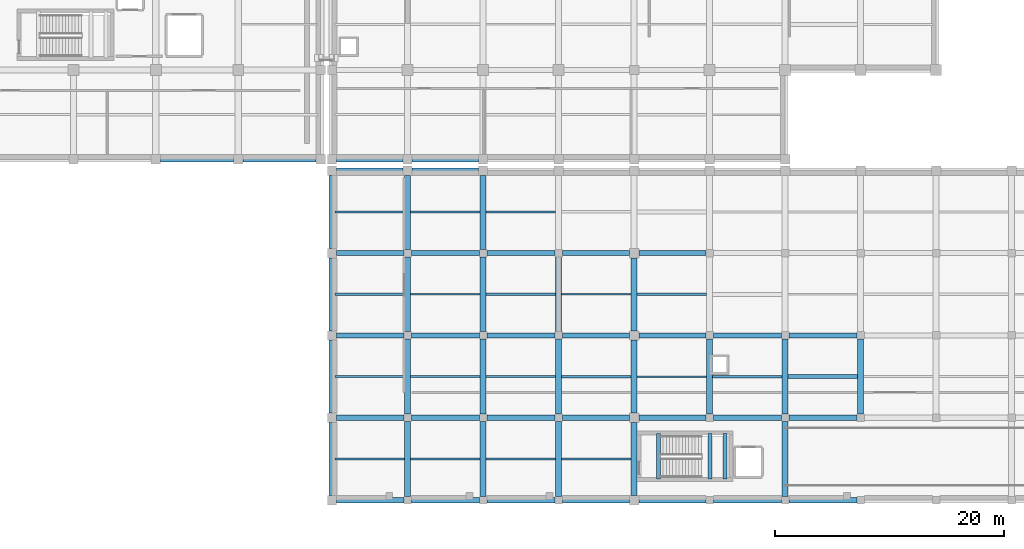
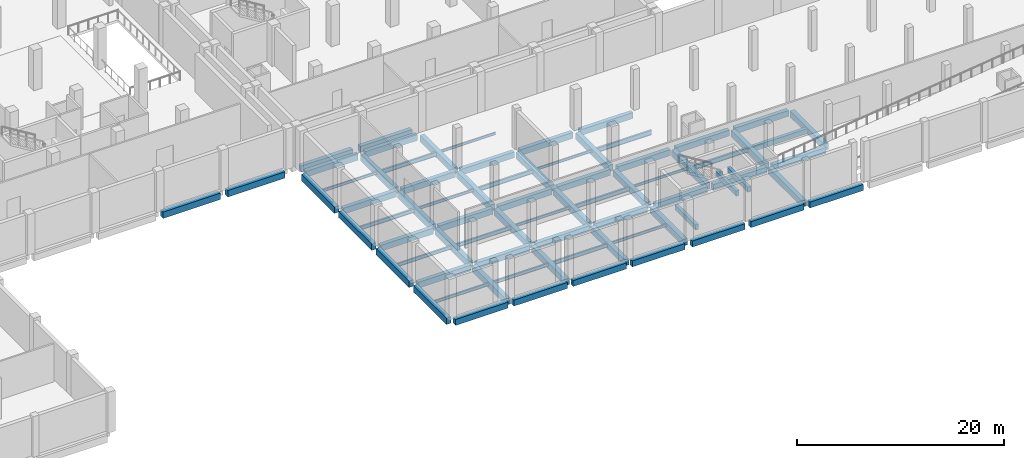
# One storey, part 4 of 31: 76 beams.
"""IFC4 building model written with IfcOpenShell, lengths in metres."""

from ifc_helpers import new_model, si_unit, direction, frame, origin, origin_2d, place, context, subcontext, project, spatial, rectangle, i_section, extrude, material, material_profile, profile_set, type_object, element, save


model = new_model("IFC4")

# Units and contexts
model_context = context("Model", 3, precision=1e-05, world=origin(), true_north=direction((0.0, 1.0)))
body_context = subcontext(model_context, "Body", "Model", "MODEL_VIEW")
ifc_project = project(units=[si_unit("LENGTHUNIT", "METRE"), si_unit("AREAUNIT", "SQUARE_METRE"), si_unit("VOLUMEUNIT", "CUBIC_METRE"), si_unit("PLANEANGLEUNIT", "RADIAN"), si_unit("MASSUNIT", "GRAM", prefix="KILO")], contexts=[model_context])

# Site, building, storey
site_placement = place(None, origin())
site = spatial("IfcSite", under=ifc_project, at=site_placement, CompositionType="ELEMENT")
building_placement = place(site_placement, origin())
building = spatial("IfcBuilding", under=site, at=building_placement, Name="Kelarvand Opera House", CompositionType="ELEMENT")
storey_placement = place(building_placement, frame((0.0, 0.0, -4.800048828125)))
storey = spatial("IfcBuildingStorey", under=building, at=storey_placement, Name="B1", CompositionType="ELEMENT", Elevation=-4.800048828125)

# Beams
ifc_material_1 = material(Name="Concrete C35/45", Category="concrete")
ifc_material_profile_1 = material_profile(ifc_material_1, rectangle(XDim=0.35009765625, YDim=0.60009765625, at=origin_2d()), Name="RC 350x600", Category="concrete")
ifc_profile_set_1 = profile_set([ifc_material_profile_1], Name="Concrete C35/45")
beam_type_1 = type_object("IfcBeamType", Name="Structural Beam RC 350x600 BM-RC350x600", PredefinedType="BEAM", material=ifc_profile_set_1)
beam_1_placement = place(storey_placement, frame((128.85009765625, 19.800048828125, -0.599853515625), z_axis=(1.0, 0.0, 0.0), x_axis=(0.0, 1.0, 0.0)))
element("IfcBeam", 1, at=beam_1_placement, inside=storey, type_object=beam_type_1, Name="V6 B1 Beam BM-RC350x600", PredefinedType="BEAM", context=body_context, shape_type="SweptSolid", body=[
    extrude(rectangle(XDim=0.35009765625, YDim=0.60009765625, at=origin_2d()), origin(), (0.0, 0.0, 1.0), 6.099853515625),
])
for number, where, z_axis, x_axis, name in (
    (2, (117.5400390625, 10.85009765625, -0.52001953125), (0.0, 1.0, 0.0), (-1.0, 0.0, 0.0), "C8 Stair Landing Support Beam B1"),
    (3, (122.050048828125, 10.85009765625, 1.900146484375), (0.0, 1.0, 0.0), (-1.0, 0.0, 0.0), "C8 Stair Half-Landing Beam 1 B1"),
    (4, (123.35009765625, 10.85009765625, 1.900146484375), (0.0, 1.0, 0.0), (-1.0, 0.0, 0.0), "C8 Stair Half-Landing Beam 2 B1"),
):
    element("IfcBeam", number, at=place(storey_placement, frame(where, z_axis=z_axis, x_axis=x_axis)), inside=storey, type_object=beam_type_1, Name=name, PredefinedType="BEAM", context=body_context, shape_type="SweptSolid", body=[
        extrude(rectangle(XDim=0.35009765625, YDim=0.60009765625, at=origin_2d()), origin(), (0.0, 0.0, 1.0), 4.0),
    ])
ifc_material_2 = material(Name="Concrete C40/50", Category="concrete")
ifc_material_profile_2 = material_profile(ifc_material_2, rectangle(XDim=0.449951171875, YDim=0.699951171875, at=origin_2d()), Name="RC 450x700", Category="concrete")
ifc_profile_set_2 = profile_set([ifc_material_profile_2], Name="Concrete C40/50")
beam_type_2 = type_object("IfcBeamType", Name="Structural Beam RC 450x700 BM-RC450x700", PredefinedType="BEAM", material=ifc_profile_set_2)
for number, where, z_axis, x_axis, name in (
    (5, (89.409912109375, 38.800048828125, -0.64990234375), (1.0, 0.0, 0.0), (0.0, 1.0, 0.0), "V1 B1 Beam BM-RC450x700"),
    (6, (96.010009765625, 38.800048828125, -0.64990234375), (1.0, 0.0, 0.0), (0.0, 1.0, 0.0), "V1 B1 Beam BM-RC450x700"),
):
    element("IfcBeam", number, at=place(storey_placement, frame(where, z_axis=z_axis, x_axis=x_axis)), inside=storey, type_object=beam_type_2, Name=name, PredefinedType="BEAM", context=body_context, shape_type="SweptSolid", body=[
        extrude(rectangle(XDim=0.449951171875, YDim=0.699951171875, at=origin_2d()), origin(), (0.0, 0.0, 1.0), 5.780029296875),
    ])
beam_2_placement = place(storey_placement, frame((89.409912109375, 9.0, -0.64990234375), z_axis=(1.0, 0.0, 0.0), x_axis=(0.0, 1.0, 0.0)))
element("IfcBeam", 7, at=beam_2_placement, inside=storey, type_object=beam_type_2, Name="V6 B1 Beam BM-RC450x700", PredefinedType="BEAM", context=body_context, shape_type="SweptSolid", body=[
    extrude(rectangle(XDim=0.449951171875, YDim=0.699951171875, at=origin_2d()), origin(), (0.0, 0.0, 1.0), 5.864990234375),
])
beam_3_placement = place(storey_placement, frame((95.925048828125, 9.0, -0.64990234375), z_axis=(1.0, 0.0, 0.0), x_axis=(0.0, 1.0, 0.0)))
element("IfcBeam", 8, at=beam_3_placement, inside=storey, type_object=beam_type_2, Name="V6 B1 Beam BM-RC450x700", PredefinedType="BEAM", context=body_context, shape_type="SweptSolid", body=[
    extrude(rectangle(XDim=0.449951171875, YDim=0.699951171875, at=origin_2d()), origin(), (0.0, 0.0, 1.0), 5.949951171875),
])
beam_4_placement = place(storey_placement, frame((102.52490234375, 9.0, -0.64990234375), z_axis=(1.0, 0.0, 0.0), x_axis=(0.0, 1.0, 0.0)))
element("IfcBeam", 9, at=beam_4_placement, inside=storey, type_object=beam_type_2, Name="V6 B1 Beam BM-RC450x700", PredefinedType="BEAM", context=body_context, shape_type="SweptSolid", body=[
    extrude(rectangle(XDim=0.449951171875, YDim=0.699951171875, at=origin_2d()), origin(), (0.0, 0.0, 1.0), 5.9501953125),
])
for number, where, z_axis, x_axis, name in (
    (10, (109.125, 9.0, -0.64990234375), (1.0, 0.0, 0.0), (0.0, 1.0, 0.0), "V6 B1 Beam BM-RC450x700"),
    (11, (115.81005859375, 9.0, -0.64990234375), (1.0, 0.0, 0.0), (0.0, 1.0, 0.0), "V6 B1 Beam BM-RC450x700"),
):
    element("IfcBeam", number, at=place(storey_placement, frame(where, z_axis=z_axis, x_axis=x_axis)), inside=storey, type_object=beam_type_2, Name=name, PredefinedType="BEAM", context=body_context, shape_type="SweptSolid", body=[
        extrude(rectangle(XDim=0.449951171875, YDim=0.699951171875, at=origin_2d()), origin(), (0.0, 0.0, 1.0), 5.864990234375),
    ])
for number, where, z_axis, x_axis, name in (
    (12, (122.324951171875, 9.0, -0.64990234375), (1.0, 0.0, 0.0), (0.0, 1.0, 0.0), "V6 B1 Beam BM-RC450x700"),
    (13, (128.925048828125, 9.0, -0.64990234375), (1.0, 0.0, 0.0), (0.0, 1.0, 0.0), "V6 B1 Beam BM-RC450x700"),
):
    element("IfcBeam", number, at=place(storey_placement, frame(where, z_axis=z_axis, x_axis=x_axis)), inside=storey, type_object=beam_type_2, Name=name, PredefinedType="BEAM", context=body_context, shape_type="SweptSolid", body=[
        extrude(rectangle(XDim=0.449951171875, YDim=0.699951171875, at=origin_2d()), origin(), (0.0, 0.0, 1.0), 5.949951171875),
    ])
beam_5_placement = place(storey_placement, frame((89.409912109375, 16.199951171875, -0.64990234375), z_axis=(1.0, 0.0, 0.0), x_axis=(0.0, 1.0, 0.0)))
element("IfcBeam", 14, at=beam_5_placement, inside=storey, type_object=beam_type_2, Name="V6 B1 Beam BM-RC450x700", PredefinedType="BEAM", context=body_context, shape_type="SweptSolid", body=[
    extrude(rectangle(XDim=0.449951171875, YDim=0.699951171875, at=origin_2d()), origin(), (0.0, 0.0, 1.0), 5.864990234375),
])
beam_6_placement = place(storey_placement, frame((95.925048828125, 16.199951171875, -0.64990234375), z_axis=(1.0, 0.0, 0.0), x_axis=(0.0, 1.0, 0.0)))
element("IfcBeam", 15, at=beam_6_placement, inside=storey, type_object=beam_type_2, Name="V6 B1 Beam BM-RC450x700", PredefinedType="BEAM", context=body_context, shape_type="SweptSolid", body=[
    extrude(rectangle(XDim=0.449951171875, YDim=0.699951171875, at=origin_2d()), origin(), (0.0, 0.0, 1.0), 5.949951171875),
])
beam_7_placement = place(storey_placement, frame((102.52490234375, 16.199951171875, -0.64990234375), z_axis=(1.0, 0.0, 0.0), x_axis=(0.0, 1.0, 0.0)))
element("IfcBeam", 16, at=beam_7_placement, inside=storey, type_object=beam_type_2, Name="V6 B1 Beam BM-RC450x700", PredefinedType="BEAM", context=body_context, shape_type="SweptSolid", body=[
    extrude(rectangle(XDim=0.449951171875, YDim=0.699951171875, at=origin_2d()), origin(), (0.0, 0.0, 1.0), 5.9501953125),
])
for number, where, z_axis, x_axis, name in (
    (17, (109.125, 16.199951171875, -0.64990234375), (1.0, 0.0, 0.0), (0.0, 1.0, 0.0), "V6 B1 Beam BM-RC450x700"),
    (18, (115.81005859375, 16.199951171875, -0.64990234375), (1.0, 0.0, 0.0), (0.0, 1.0, 0.0), "V6 B1 Beam BM-RC450x700"),
):
    element("IfcBeam", number, at=place(storey_placement, frame(where, z_axis=z_axis, x_axis=x_axis)), inside=storey, type_object=beam_type_2, Name=name, PredefinedType="BEAM", context=body_context, shape_type="SweptSolid", body=[
        extrude(rectangle(XDim=0.449951171875, YDim=0.699951171875, at=origin_2d()), origin(), (0.0, 0.0, 1.0), 5.864990234375),
    ])
for number, where, z_axis, x_axis, name in (
    (19, (122.324951171875, 16.199951171875, -0.64990234375), (1.0, 0.0, 0.0), (0.0, 1.0, 0.0), "V6 B1 Beam BM-RC450x700"),
    (20, (128.925048828125, 16.199951171875, -0.64990234375), (1.0, 0.0, 0.0), (0.0, 1.0, 0.0), "V6 B1 Beam BM-RC450x700"),
):
    element("IfcBeam", number, at=place(storey_placement, frame(where, z_axis=z_axis, x_axis=x_axis)), inside=storey, type_object=beam_type_2, Name=name, PredefinedType="BEAM", context=body_context, shape_type="SweptSolid", body=[
        extrude(rectangle(XDim=0.449951171875, YDim=0.699951171875, at=origin_2d()), origin(), (0.0, 0.0, 1.0), 5.949951171875),
    ])
beam_8_placement = place(storey_placement, frame((89.409912109375, 23.39990234375, -0.64990234375), z_axis=(1.0, 0.0, 0.0), x_axis=(0.0, 1.0, 0.0)))
element("IfcBeam", 21, at=beam_8_placement, inside=storey, type_object=beam_type_2, Name="V6 B1 Beam BM-RC450x700", PredefinedType="BEAM", context=body_context, shape_type="SweptSolid", body=[
    extrude(rectangle(XDim=0.449951171875, YDim=0.699951171875, at=origin_2d()), origin(), (0.0, 0.0, 1.0), 5.864990234375),
])
beam_9_placement = place(storey_placement, frame((95.925048828125, 23.39990234375, -0.64990234375), z_axis=(1.0, 0.0, 0.0), x_axis=(0.0, 1.0, 0.0)))
element("IfcBeam", 22, at=beam_9_placement, inside=storey, type_object=beam_type_2, Name="V6 B1 Beam BM-RC450x700", PredefinedType="BEAM", context=body_context, shape_type="SweptSolid", body=[
    extrude(rectangle(XDim=0.449951171875, YDim=0.699951171875, at=origin_2d()), origin(), (0.0, 0.0, 1.0), 5.949951171875),
])
beam_10_placement = place(storey_placement, frame((102.52490234375, 23.39990234375, -0.64990234375), z_axis=(1.0, 0.0, 0.0), x_axis=(0.0, 1.0, 0.0)))
element("IfcBeam", 23, at=beam_10_placement, inside=storey, type_object=beam_type_2, Name="V6 B1 Beam BM-RC450x700", PredefinedType="BEAM", context=body_context, shape_type="SweptSolid", body=[
    extrude(rectangle(XDim=0.449951171875, YDim=0.699951171875, at=origin_2d()), origin(), (0.0, 0.0, 1.0), 5.9501953125),
])
for number, where, z_axis, x_axis, name in (
    (24, (109.125, 23.39990234375, -0.64990234375), (1.0, 0.0, 0.0), (0.0, 1.0, 0.0), "V6 B1 Beam BM-RC450x700"),
    (25, (115.81005859375, 23.39990234375, -0.64990234375), (1.0, 0.0, 0.0), (0.0, 1.0, 0.0), "V6 B1 Beam BM-RC450x700"),
):
    element("IfcBeam", number, at=place(storey_placement, frame(where, z_axis=z_axis, x_axis=x_axis)), inside=storey, type_object=beam_type_2, Name=name, PredefinedType="BEAM", context=body_context, shape_type="SweptSolid", body=[
        extrude(rectangle(XDim=0.449951171875, YDim=0.699951171875, at=origin_2d()), origin(), (0.0, 0.0, 1.0), 5.864990234375),
    ])
for number, where, z_axis, x_axis, name in (
    (26, (122.324951171875, 23.39990234375, -0.64990234375), (1.0, 0.0, 0.0), (0.0, 1.0, 0.0), "V6 B1 Beam BM-RC450x700"),
    (27, (128.925048828125, 23.39990234375, -0.64990234375), (1.0, 0.0, 0.0), (0.0, 1.0, 0.0), "V6 B1 Beam BM-RC450x700"),
):
    element("IfcBeam", number, at=place(storey_placement, frame(where, z_axis=z_axis, x_axis=x_axis)), inside=storey, type_object=beam_type_2, Name=name, PredefinedType="BEAM", context=body_context, shape_type="SweptSolid", body=[
        extrude(rectangle(XDim=0.449951171875, YDim=0.699951171875, at=origin_2d()), origin(), (0.0, 0.0, 1.0), 5.949951171875),
    ])
beam_11_placement = place(storey_placement, frame((89.409912109375, 30.60009765625, -0.64990234375), z_axis=(1.0, 0.0, 0.0), x_axis=(0.0, 1.0, 0.0)))
element("IfcBeam", 28, at=beam_11_placement, inside=storey, type_object=beam_type_2, Name="V6 B1 Beam BM-RC450x700", PredefinedType="BEAM", context=body_context, shape_type="SweptSolid", body=[
    extrude(rectangle(XDim=0.449951171875, YDim=0.699951171875, at=origin_2d()), origin(), (0.0, 0.0, 1.0), 5.864990234375),
])
beam_12_placement = place(storey_placement, frame((95.925048828125, 30.60009765625, -0.64990234375), z_axis=(1.0, 0.0, 0.0), x_axis=(0.0, 1.0, 0.0)))
element("IfcBeam", 29, at=beam_12_placement, inside=storey, type_object=beam_type_2, Name="V6 B1 Beam BM-RC450x700", PredefinedType="BEAM", context=body_context, shape_type="SweptSolid", body=[
    extrude(rectangle(XDim=0.449951171875, YDim=0.699951171875, at=origin_2d()), origin(), (0.0, 0.0, 1.0), 5.949951171875),
])
beam_13_placement = place(storey_placement, frame((102.52490234375, 30.60009765625, -0.64990234375), z_axis=(1.0, 0.0, 0.0), x_axis=(0.0, 1.0, 0.0)))
element("IfcBeam", 30, at=beam_13_placement, inside=storey, type_object=beam_type_2, Name="V6 B1 Beam BM-RC450x700", PredefinedType="BEAM", context=body_context, shape_type="SweptSolid", body=[
    extrude(rectangle(XDim=0.449951171875, YDim=0.699951171875, at=origin_2d()), origin(), (0.0, 0.0, 1.0), 5.9501953125),
])
for number, where, z_axis, x_axis, name in (
    (31, (109.125, 30.60009765625, -0.64990234375), (1.0, 0.0, 0.0), (0.0, 1.0, 0.0), "V6 B1 Beam BM-RC450x700"),
    (32, (115.81005859375, 30.60009765625, -0.64990234375), (1.0, 0.0, 0.0), (0.0, 1.0, 0.0), "V6 B1 Beam BM-RC450x700"),
):
    element("IfcBeam", number, at=place(storey_placement, frame(where, z_axis=z_axis, x_axis=x_axis)), inside=storey, type_object=beam_type_2, Name=name, PredefinedType="BEAM", context=body_context, shape_type="SweptSolid", body=[
        extrude(rectangle(XDim=0.449951171875, YDim=0.699951171875, at=origin_2d()), origin(), (0.0, 0.0, 1.0), 5.864990234375),
    ])
for number, where, z_axis, x_axis, name in (
    (33, (89.409912109375, 37.800048828125, -0.64990234375), (1.0, 0.0, 0.0), (0.0, 1.0, 0.0), "V6 B1 Beam BM-RC450x700"),
    (34, (96.010009765625, 37.800048828125, -0.64990234375), (1.0, 0.0, 0.0), (0.0, 1.0, 0.0), "V6 B1 Beam BM-RC450x700"),
):
    element("IfcBeam", number, at=place(storey_placement, frame(where, z_axis=z_axis, x_axis=x_axis)), inside=storey, type_object=beam_type_2, Name=name, PredefinedType="BEAM", context=body_context, shape_type="SweptSolid", body=[
        extrude(rectangle(XDim=0.449951171875, YDim=0.699951171875, at=origin_2d()), origin(), (0.0, 0.0, 1.0), 5.780029296875),
    ])
ifc_material_profile_3 = material_profile(ifc_material_2, rectangle(XDim=0.5, YDim=0.75, at=origin_2d()), Name="RC 500x750", Category="concrete")
ifc_profile_set_3 = profile_set([ifc_material_profile_3], Name="Concrete C40/50")
beam_type_3 = type_object("IfcBeamType", Name="Structural Beam RC 500x750 BM-RC500x750", PredefinedType="BEAM", material=ifc_profile_set_3)
beam_14_placement = place(storey_placement, frame((74.010009765625, 38.800048828125, -0.675048828125), z_axis=(1.0, 0.0, 0.0), x_axis=(0.0, 1.0, 0.0)))
element("IfcBeam", 35, at=beam_14_placement, inside=storey, type_object=beam_type_3, Name="V2 B1 Beam BM-RC500x750", PredefinedType="BEAM", context=body_context, shape_type="SweptSolid", body=[
    extrude(rectangle(XDim=0.5, YDim=0.75, at=origin_2d()), origin(), (0.0, 0.0, 1.0), 6.3798828125),
])
for number, where, z_axis, x_axis, name in (
    (36, (81.2099609375, 38.800048828125, -0.675048828125), (1.0, 0.0, 0.0), (0.0, 1.0, 0.0), "V2 B1 Beam BM-RC500x750"),
    (37, (89.0, 9.409912109375, -0.675048828125), (0.0, 1.0, 0.0), (-1.0, 0.0, 0.0), "V6 B1 Beam BM-RC500x750"),
):
    element("IfcBeam", number, at=place(storey_placement, frame(where, z_axis=z_axis, x_axis=x_axis)), inside=storey, type_object=beam_type_3, Name=name, PredefinedType="BEAM", context=body_context, shape_type="SweptSolid", body=[
        extrude(rectangle(XDim=0.5, YDim=0.75, at=origin_2d()), origin(), (0.0, 0.0, 1.0), 6.380126953125),
    ])
for number, where, z_axis, x_axis, name in (
    (38, (89.0, 16.610107421875, -0.675048828125), (0.0, 1.0, 0.0), (-1.0, 0.0, 0.0), "V6 B1 Beam BM-RC500x750"),
    (39, (89.0, 23.81005859375, -0.675048828125), (0.0, 1.0, 0.0), (-1.0, 0.0, 0.0), "V6 B1 Beam BM-RC500x750"),
    (40, (89.0, 31.010009765625, -0.675048828125), (0.0, 1.0, 0.0), (-1.0, 0.0, 0.0), "V6 B1 Beam BM-RC500x750"),
):
    element("IfcBeam", number, at=place(storey_placement, frame(where, z_axis=z_axis, x_axis=x_axis)), inside=storey, type_object=beam_type_3, Name=name, PredefinedType="BEAM", context=body_context, shape_type="SweptSolid", body=[
        extrude(rectangle(XDim=0.5, YDim=0.75, at=origin_2d()), origin(), (0.0, 0.0, 1.0), 6.3798828125),
    ])
for number, where, z_axis, x_axis, name in (
    (41, (95.60009765625, 9.324951171875, -0.675048828125), (0.0, 1.0, 0.0), (-1.0, 0.0, 0.0), "V6 B1 Beam BM-RC500x750"),
    (42, (95.60009765625, 16.52490234375, -0.675048828125), (0.0, 1.0, 0.0), (-1.0, 0.0, 0.0), "V6 B1 Beam BM-RC500x750"),
):
    element("IfcBeam", number, at=place(storey_placement, frame(where, z_axis=z_axis, x_axis=x_axis)), inside=storey, type_object=beam_type_3, Name=name, PredefinedType="BEAM", context=body_context, shape_type="SweptSolid", body=[
        extrude(rectangle(XDim=0.5, YDim=0.75, at=origin_2d()), origin(), (0.0, 0.0, 1.0), 6.550048828125),
    ])
beam_15_placement = place(storey_placement, frame((95.60009765625, 23.72509765625, -0.675048828125), z_axis=(0.0, 1.0, 0.0), x_axis=(-1.0, 0.0, 0.0)))
element("IfcBeam", 43, at=beam_15_placement, inside=storey, type_object=beam_type_3, Name="V6 B1 Beam BM-RC500x750", PredefinedType="BEAM", context=body_context, shape_type="SweptSolid", body=[
    extrude(rectangle(XDim=0.5, YDim=0.75, at=origin_2d()), origin(), (0.0, 0.0, 1.0), 6.5498046875),
])
beam_16_placement = place(storey_placement, frame((95.60009765625, 30.925048828125, -0.675048828125), z_axis=(0.0, 1.0, 0.0), x_axis=(-1.0, 0.0, 0.0)))
element("IfcBeam", 44, at=beam_16_placement, inside=storey, type_object=beam_type_3, Name="V6 B1 Beam BM-RC500x750", PredefinedType="BEAM", context=body_context, shape_type="SweptSolid", body=[
    extrude(rectangle(XDim=0.5, YDim=0.75, at=origin_2d()), origin(), (0.0, 0.0, 1.0), 6.46484375),
])
for number, where, z_axis, x_axis, name in (
    (45, (102.199951171875, 9.324951171875, -0.675048828125), (0.0, 1.0, 0.0), (-1.0, 0.0, 0.0), "V6 B1 Beam BM-RC500x750"),
    (46, (102.199951171875, 16.52490234375, -0.675048828125), (0.0, 1.0, 0.0), (-1.0, 0.0, 0.0), "V6 B1 Beam BM-RC500x750"),
):
    element("IfcBeam", number, at=place(storey_placement, frame(where, z_axis=z_axis, x_axis=x_axis)), inside=storey, type_object=beam_type_3, Name=name, PredefinedType="BEAM", context=body_context, shape_type="SweptSolid", body=[
        extrude(rectangle(XDim=0.5, YDim=0.75, at=origin_2d()), origin(), (0.0, 0.0, 1.0), 6.550048828125),
    ])
beam_17_placement = place(storey_placement, frame((102.199951171875, 23.72509765625, -0.675048828125), z_axis=(0.0, 1.0, 0.0), x_axis=(-1.0, 0.0, 0.0)))
element("IfcBeam", 47, at=beam_17_placement, inside=storey, type_object=beam_type_3, Name="V6 B1 Beam BM-RC500x750", PredefinedType="BEAM", context=body_context, shape_type="SweptSolid", body=[
    extrude(rectangle(XDim=0.5, YDim=0.75, at=origin_2d()), origin(), (0.0, 0.0, 1.0), 6.5498046875),
])
beam_18_placement = place(storey_placement, frame((102.199951171875, 30.925048828125, -0.675048828125), z_axis=(0.0, 1.0, 0.0), x_axis=(-1.0, 0.0, 0.0)))
element("IfcBeam", 48, at=beam_18_placement, inside=storey, type_object=beam_type_3, Name="V6 B1 Beam BM-RC500x750", PredefinedType="BEAM", context=body_context, shape_type="SweptSolid", body=[
    extrude(rectangle(XDim=0.5, YDim=0.75, at=origin_2d()), origin(), (0.0, 0.0, 1.0), 6.46484375),
])
for number, where, z_axis, x_axis, name in (
    (49, (108.800048828125, 9.324951171875, -0.675048828125), (0.0, 1.0, 0.0), (-1.0, 0.0, 0.0), "V6 B1 Beam BM-RC500x750"),
    (50, (108.800048828125, 16.52490234375, -0.675048828125), (0.0, 1.0, 0.0), (-1.0, 0.0, 0.0), "V6 B1 Beam BM-RC500x750"),
):
    element("IfcBeam", number, at=place(storey_placement, frame(where, z_axis=z_axis, x_axis=x_axis)), inside=storey, type_object=beam_type_3, Name=name, PredefinedType="BEAM", context=body_context, shape_type="SweptSolid", body=[
        extrude(rectangle(XDim=0.5, YDim=0.75, at=origin_2d()), origin(), (0.0, 0.0, 1.0), 6.550048828125),
    ])
beam_19_placement = place(storey_placement, frame((108.800048828125, 23.72509765625, -0.675048828125), z_axis=(0.0, 1.0, 0.0), x_axis=(-1.0, 0.0, 0.0)))
element("IfcBeam", 51, at=beam_19_placement, inside=storey, type_object=beam_type_3, Name="V6 B1 Beam BM-RC500x750", PredefinedType="BEAM", context=body_context, shape_type="SweptSolid", body=[
    extrude(rectangle(XDim=0.5, YDim=0.75, at=origin_2d()), origin(), (0.0, 0.0, 1.0), 6.5498046875),
])
beam_20_placement = place(storey_placement, frame((115.39990234375, 9.409912109375, -0.675048828125), z_axis=(0.0, 1.0, 0.0), x_axis=(-1.0, 0.0, 0.0)))
element("IfcBeam", 52, at=beam_20_placement, inside=storey, type_object=beam_type_3, Name="V6 B1 Beam BM-RC500x750", PredefinedType="BEAM", context=body_context, shape_type="SweptSolid", body=[
    extrude(rectangle(XDim=0.5, YDim=0.75, at=origin_2d()), origin(), (0.0, 0.0, 1.0), 6.380126953125),
])
for number, where, z_axis, x_axis, name in (
    (53, (115.39990234375, 16.610107421875, -0.675048828125), (0.0, 1.0, 0.0), (-1.0, 0.0, 0.0), "V6 B1 Beam BM-RC500x750"),
    (54, (115.39990234375, 23.81005859375, -0.675048828125), (0.0, 1.0, 0.0), (-1.0, 0.0, 0.0), "V6 B1 Beam BM-RC500x750"),
):
    element("IfcBeam", number, at=place(storey_placement, frame(where, z_axis=z_axis, x_axis=x_axis)), inside=storey, type_object=beam_type_3, Name=name, PredefinedType="BEAM", context=body_context, shape_type="SweptSolid", body=[
        extrude(rectangle(XDim=0.5, YDim=0.75, at=origin_2d()), origin(), (0.0, 0.0, 1.0), 6.3798828125),
    ])
for number, where, z_axis, x_axis, name in (
    (55, (122.0, 16.52490234375, -0.675048828125), (0.0, 1.0, 0.0), (-1.0, 0.0, 0.0), "V6 B1 Beam BM-RC500x750"),
    (56, (128.60009765625, 9.324951171875, -0.675048828125), (0.0, 1.0, 0.0), (-1.0, 0.0, 0.0), "V6 B1 Beam BM-RC500x750"),
    (57, (128.60009765625, 16.52490234375, -0.675048828125), (0.0, 1.0, 0.0), (-1.0, 0.0, 0.0), "V6 B1 Beam BM-RC500x750"),
    (58, (135.199951171875, 16.52490234375, -0.675048828125), (0.0, 1.0, 0.0), (-1.0, 0.0, 0.0), "V6 B1 Beam BM-RC500x750"),
):
    element("IfcBeam", number, at=place(storey_placement, frame(where, z_axis=z_axis, x_axis=x_axis)), inside=storey, type_object=beam_type_3, Name=name, PredefinedType="BEAM", context=body_context, shape_type="SweptSolid", body=[
        extrude(rectangle(XDim=0.5, YDim=0.75, at=origin_2d()), origin(), (0.0, 0.0, 1.0), 6.550048828125),
    ])
ifc_material_3 = material(Name="Steel S355", Category="steel")
ifc_material_profile_4 = material_profile(ifc_material_3, i_section(OverallWidth=0.14990234375, OverallDepth=0.300048828125, WebThickness=0.007080078125, FlangeThickness=0.0107421875, at=origin_2d()), Name="IPE 300", Category="steel")
ifc_profile_set_4 = profile_set([ifc_material_profile_4], Name="Steel S355")
beam_type_4 = type_object("IfcBeamType", Name="Structural Joist IPE 300 JS-IPE300", PredefinedType="JOIST", material=ifc_profile_set_4)
beam_21_placement = place(storey_placement, frame((102.449951171875, 34.199951171875, -0.449951171875), z_axis=(1.0, 0.0, 0.0), x_axis=(0.0, 1.0, 0.0)))
element("IfcBeam", 59, at=beam_21_placement, inside=storey, type_object=beam_type_4, Name="V6 B1 Beam JS-IPE300", PredefinedType="JOIST", context=body_context, shape_type="SweptSolid", body=[
    extrude(i_section(OverallWidth=0.14990234375, OverallDepth=0.300048828125, WebThickness=0.007080078125, FlangeThickness=0.0107421875, at=origin_2d()), origin(), (0.0, 0.0, 1.0), 6.10009765625),
])
beam_22_placement = place(storey_placement, frame((109.050048828125, 27.0, -0.449951171875), z_axis=(1.0, 0.0, 0.0), x_axis=(0.0, 1.0, 0.0)))
element("IfcBeam", 60, at=beam_22_placement, inside=storey, type_object=beam_type_4, Name="V6 B1 Beam JS-IPE300", PredefinedType="JOIST", context=body_context, shape_type="SweptSolid", body=[
    extrude(i_section(OverallWidth=0.14990234375, OverallDepth=0.300048828125, WebThickness=0.007080078125, FlangeThickness=0.0107421875, at=origin_2d()), origin(), (0.0, 0.0, 1.0), 6.099853515625),
])
beam_23_placement = place(storey_placement, frame((115.64990234375, 19.800048828125, -0.449951171875), z_axis=(1.0, 0.0, 0.0), x_axis=(0.0, 1.0, 0.0)))
element("IfcBeam", 61, at=beam_23_placement, inside=storey, type_object=beam_type_4, Name="V6 B1 Beam JS-IPE300", PredefinedType="JOIST", context=body_context, shape_type="SweptSolid", body=[
    extrude(i_section(OverallWidth=0.14990234375, OverallDepth=0.300048828125, WebThickness=0.007080078125, FlangeThickness=0.0107421875, at=origin_2d()), origin(), (0.0, 0.0, 1.0), 6.10009765625),
])
ifc_material_profile_5 = material_profile(ifc_material_3, i_section(OverallWidth=0.159912109375, OverallDepth=0.330078125, WebThickness=0.007568359375, FlangeThickness=0.011474609375, at=origin_2d()), Name="IPE 330", Category="steel")
ifc_profile_set_5 = profile_set([ifc_material_profile_5], Name="Steel S355")
beam_type_5 = type_object("IfcBeamType", Name="Structural Joist IPE 330 JS-IPE330", PredefinedType="JOIST", material=ifc_profile_set_5)
beam_24_placement = place(storey_placement, frame((89.25, 34.199951171875, -0.46484375), z_axis=(1.0, 0.0, 0.0), x_axis=(0.0, 1.0, 0.0)))
element("IfcBeam", 62, at=beam_24_placement, inside=storey, type_object=beam_type_5, Name="V6 B1 Beam JS-IPE330", PredefinedType="JOIST", context=body_context, shape_type="SweptSolid", body=[
    extrude(i_section(OverallWidth=0.159912109375, OverallDepth=0.330078125, WebThickness=0.007568359375, FlangeThickness=0.011474609375, at=origin_2d()), origin(), (0.0, 0.0, 1.0), 6.10009765625),
])
beam_25_placement = place(storey_placement, frame((95.85009765625, 27.0, -0.46484375), z_axis=(1.0, 0.0, 0.0), x_axis=(0.0, 1.0, 0.0)))
element("IfcBeam", 63, at=beam_25_placement, inside=storey, type_object=beam_type_5, Name="V6 B1 Beam JS-IPE330", PredefinedType="JOIST", context=body_context, shape_type="SweptSolid", body=[
    extrude(i_section(OverallWidth=0.159912109375, OverallDepth=0.330078125, WebThickness=0.007568359375, FlangeThickness=0.011474609375, at=origin_2d()), origin(), (0.0, 0.0, 1.0), 6.099853515625),
])
beam_26_placement = place(storey_placement, frame((102.449951171875, 19.800048828125, -0.46484375), z_axis=(1.0, 0.0, 0.0), x_axis=(0.0, 1.0, 0.0)))
element("IfcBeam", 64, at=beam_26_placement, inside=storey, type_object=beam_type_5, Name="V6 B1 Beam JS-IPE330", PredefinedType="JOIST", context=body_context, shape_type="SweptSolid", body=[
    extrude(i_section(OverallWidth=0.159912109375, OverallDepth=0.330078125, WebThickness=0.007568359375, FlangeThickness=0.011474609375, at=origin_2d()), origin(), (0.0, 0.0, 1.0), 6.10009765625),
])
beam_27_placement = place(storey_placement, frame((109.050048828125, 12.60009765625, -0.46484375), z_axis=(1.0, 0.0, 0.0), x_axis=(0.0, 1.0, 0.0)))
element("IfcBeam", 65, at=beam_27_placement, inside=storey, type_object=beam_type_5, Name="V6 B1 Beam JS-IPE330", PredefinedType="JOIST", context=body_context, shape_type="SweptSolid", body=[
    extrude(i_section(OverallWidth=0.159912109375, OverallDepth=0.330078125, WebThickness=0.007568359375, FlangeThickness=0.011474609375, at=origin_2d()), origin(), (0.0, 0.0, 1.0), 6.099853515625),
])
ifc_material_profile_6 = material_profile(ifc_material_3, i_section(OverallWidth=0.169921875, OverallDepth=0.360107421875, WebThickness=0.008056640625, FlangeThickness=0.0126953125, at=origin_2d()), Name="IPE 360", Category="steel")
ifc_profile_set_6 = profile_set([ifc_material_profile_6], Name="Steel S355")
beam_type_6 = type_object("IfcBeamType", Name="Structural Joist IPE 360 JS-IPE360", PredefinedType="JOIST", material=ifc_profile_set_6)
beam_28_placement = place(storey_placement, frame((89.25, 12.60009765625, -0.47998046875), z_axis=(1.0, 0.0, 0.0), x_axis=(0.0, 1.0, 0.0)))
element("IfcBeam", 66, at=beam_28_placement, inside=storey, type_object=beam_type_6, Name="V6 B1 Beam JS-IPE360", PredefinedType="JOIST", context=body_context, shape_type="SweptSolid", body=[
    extrude(i_section(OverallWidth=0.169921875, OverallDepth=0.360107421875, WebThickness=0.008056640625, FlangeThickness=0.0126953125, at=origin_2d()), origin(), (0.0, 0.0, 1.0), 6.10009765625),
])
ifc_material_profile_7 = material_profile(ifc_material_3, i_section(OverallWidth=0.179931640625, OverallDepth=0.39990234375, WebThickness=0.008544921875, FlangeThickness=0.013427734375, at=origin_2d()), Name="IPE 400", Category="steel")
ifc_profile_set_7 = profile_set([ifc_material_profile_7], Name="Steel S355")
beam_type_7 = type_object("IfcBeamType", Name="Structural Joist IPE 400 JS-IPE400", PredefinedType="JOIST", material=ifc_profile_set_7)
beam_29_placement = place(storey_placement, frame((89.25, 19.800048828125, -0.5), z_axis=(1.0, 0.0, 0.0), x_axis=(0.0, 1.0, 0.0)))
element("IfcBeam", 67, at=beam_29_placement, inside=storey, type_object=beam_type_7, Name="V6 B1 Beam JS-IPE400", PredefinedType="JOIST", context=body_context, shape_type="SweptSolid", body=[
    extrude(i_section(OverallWidth=0.179931640625, OverallDepth=0.39990234375, WebThickness=0.008544921875, FlangeThickness=0.013427734375, at=origin_2d()), origin(), (0.0, 0.0, 1.0), 6.10009765625),
])
beam_30_placement = place(storey_placement, frame((95.85009765625, 12.60009765625, -0.5), z_axis=(1.0, 0.0, 0.0), x_axis=(0.0, 1.0, 0.0)))
element("IfcBeam", 68, at=beam_30_placement, inside=storey, type_object=beam_type_7, Name="V6 B1 Beam JS-IPE400", PredefinedType="JOIST", context=body_context, shape_type="SweptSolid", body=[
    extrude(i_section(OverallWidth=0.179931640625, OverallDepth=0.39990234375, WebThickness=0.008544921875, FlangeThickness=0.013427734375, at=origin_2d()), origin(), (0.0, 0.0, 1.0), 6.099853515625),
])
ifc_material_profile_8 = material_profile(ifc_material_3, i_section(OverallWidth=0.18994140625, OverallDepth=0.449951171875, WebThickness=0.009521484375, FlangeThickness=0.0146484375, at=origin_2d()), Name="IPE 450", Category="steel")
ifc_profile_set_8 = profile_set([ifc_material_profile_8], Name="Steel S355")
beam_type_8 = type_object("IfcBeamType", Name="Structural Joist IPE 450 JS-IPE450", PredefinedType="JOIST", material=ifc_profile_set_8)
beam_31_placement = place(storey_placement, frame((89.25, 27.0, -0.52490234375), z_axis=(1.0, 0.0, 0.0), x_axis=(0.0, 1.0, 0.0)))
element("IfcBeam", 69, at=beam_31_placement, inside=storey, type_object=beam_type_8, Name="V6 B1 Beam JS-IPE450", PredefinedType="JOIST", context=body_context, shape_type="SweptSolid", body=[
    extrude(i_section(OverallWidth=0.18994140625, OverallDepth=0.449951171875, WebThickness=0.009521484375, FlangeThickness=0.0146484375, at=origin_2d()), origin(), (0.0, 0.0, 1.0), 6.10009765625),
])
beam_32_placement = place(storey_placement, frame((95.85009765625, 19.800048828125, -0.52490234375), z_axis=(1.0, 0.0, 0.0), x_axis=(0.0, 1.0, 0.0)))
element("IfcBeam", 70, at=beam_32_placement, inside=storey, type_object=beam_type_8, Name="V6 B1 Beam JS-IPE450", PredefinedType="JOIST", context=body_context, shape_type="SweptSolid", body=[
    extrude(i_section(OverallWidth=0.18994140625, OverallDepth=0.449951171875, WebThickness=0.009521484375, FlangeThickness=0.0146484375, at=origin_2d()), origin(), (0.0, 0.0, 1.0), 6.099853515625),
])
beam_33_placement = place(storey_placement, frame((102.449951171875, 12.60009765625, -0.52490234375), z_axis=(1.0, 0.0, 0.0), x_axis=(0.0, 1.0, 0.0)))
element("IfcBeam", 71, at=beam_33_placement, inside=storey, type_object=beam_type_8, Name="V6 B1 Beam JS-IPE450", PredefinedType="JOIST", context=body_context, shape_type="SweptSolid", body=[
    extrude(i_section(OverallWidth=0.18994140625, OverallDepth=0.449951171875, WebThickness=0.009521484375, FlangeThickness=0.0146484375, at=origin_2d()), origin(), (0.0, 0.0, 1.0), 6.10009765625),
])
ifc_material_profile_9 = material_profile(ifc_material_3, i_section(OverallWidth=0.199951171875, OverallDepth=0.5, WebThickness=0.01025390625, FlangeThickness=0.01611328125, at=origin_2d()), Name="IPE 500", Category="steel")
ifc_profile_set_9 = profile_set([ifc_material_profile_9], Name="Steel S355")
beam_type_9 = type_object("IfcBeamType", Name="Structural Joist IPE 500 JS-IPE500", PredefinedType="JOIST", material=ifc_profile_set_9)
beam_34_placement = place(storey_placement, frame((95.85009765625, 34.199951171875, -0.550048828125), z_axis=(1.0, 0.0, 0.0), x_axis=(0.0, 1.0, 0.0)))
element("IfcBeam", 72, at=beam_34_placement, inside=storey, type_object=beam_type_9, Name="V6 B1 Beam JS-IPE500", PredefinedType="JOIST", context=body_context, shape_type="SweptSolid", body=[
    extrude(i_section(OverallWidth=0.199951171875, OverallDepth=0.5, WebThickness=0.01025390625, FlangeThickness=0.01611328125, at=origin_2d()), origin(), (0.0, 0.0, 1.0), 6.099853515625),
])
beam_35_placement = place(storey_placement, frame((102.449951171875, 27.0, -0.550048828125), z_axis=(1.0, 0.0, 0.0), x_axis=(0.0, 1.0, 0.0)))
element("IfcBeam", 73, at=beam_35_placement, inside=storey, type_object=beam_type_9, Name="V6 B1 Beam JS-IPE500", PredefinedType="JOIST", context=body_context, shape_type="SweptSolid", body=[
    extrude(i_section(OverallWidth=0.199951171875, OverallDepth=0.5, WebThickness=0.01025390625, FlangeThickness=0.01611328125, at=origin_2d()), origin(), (0.0, 0.0, 1.0), 6.10009765625),
])
beam_36_placement = place(storey_placement, frame((109.050048828125, 19.800048828125, -0.550048828125), z_axis=(1.0, 0.0, 0.0), x_axis=(0.0, 1.0, 0.0)))
element("IfcBeam", 74, at=beam_36_placement, inside=storey, type_object=beam_type_9, Name="V6 B1 Beam JS-IPE500", PredefinedType="JOIST", context=body_context, shape_type="SweptSolid", body=[
    extrude(i_section(OverallWidth=0.199951171875, OverallDepth=0.5, WebThickness=0.01025390625, FlangeThickness=0.01611328125, at=origin_2d()), origin(), (0.0, 0.0, 1.0), 6.099853515625),
])
ifc_material_profile_10 = material_profile(ifc_material_3, i_section(OverallWidth=0.2099609375, OverallDepth=0.550048828125, WebThickness=0.010986328125, FlangeThickness=0.01708984375, at=origin_2d()), Name="IPE 550", Category="steel")
ifc_profile_set_10 = profile_set([ifc_material_profile_10], Name="Steel S355")
beam_type_10 = type_object("IfcBeamType", Name="Structural Joist IPE 550 JS-IPE550", PredefinedType="JOIST", material=ifc_profile_set_10)
for number, where, z_axis, x_axis, name in (
    (75, (115.64990234375, 27.0, -0.574951171875), (1.0, 0.0, 0.0), (0.0, 1.0, 0.0), "V6 B1 Beam JS-IPE550"),
    (76, (122.25, 19.800048828125, -0.574951171875), (1.0, 0.0, 0.0), (0.0, 1.0, 0.0), "V6 B1 Beam JS-IPE550"),
):
    element("IfcBeam", number, at=place(storey_placement, frame(where, z_axis=z_axis, x_axis=x_axis)), inside=storey, type_object=beam_type_10, Name=name, PredefinedType="JOIST", context=body_context, shape_type="SweptSolid", body=[
        extrude(i_section(OverallWidth=0.2099609375, OverallDepth=0.550048828125, WebThickness=0.010986328125, FlangeThickness=0.01708984375, at=origin_2d()), origin(), (0.0, 0.0, 1.0), 6.10009765625),
    ])

save(model, "model.ifc")
